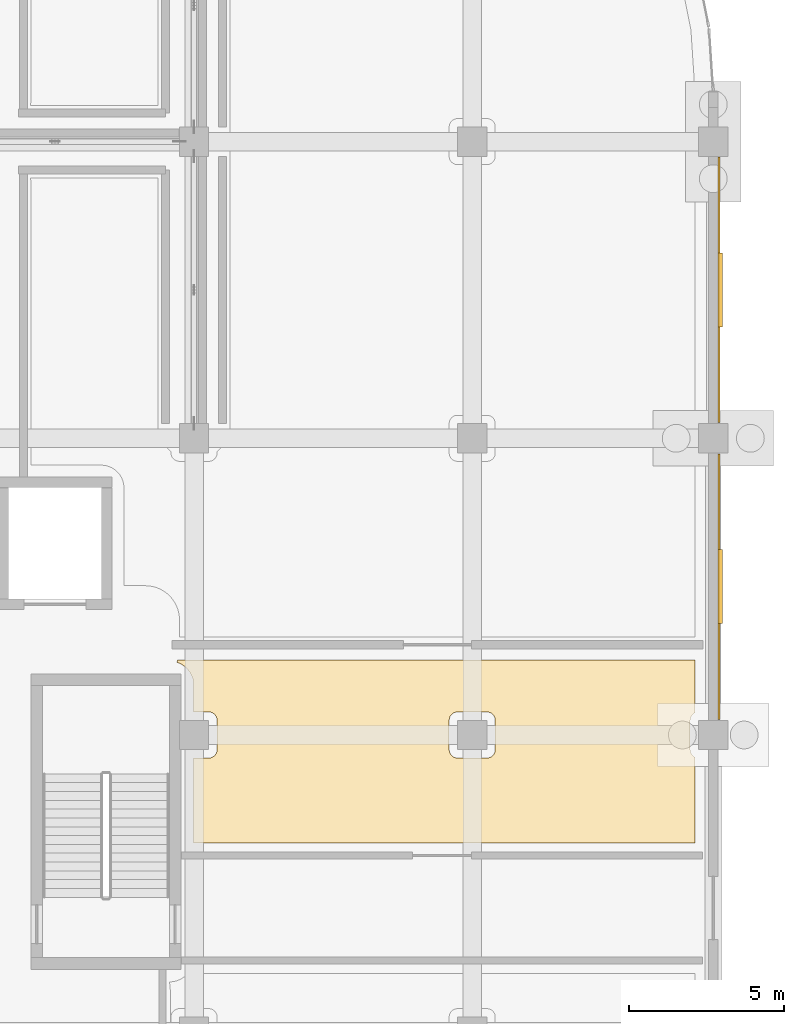
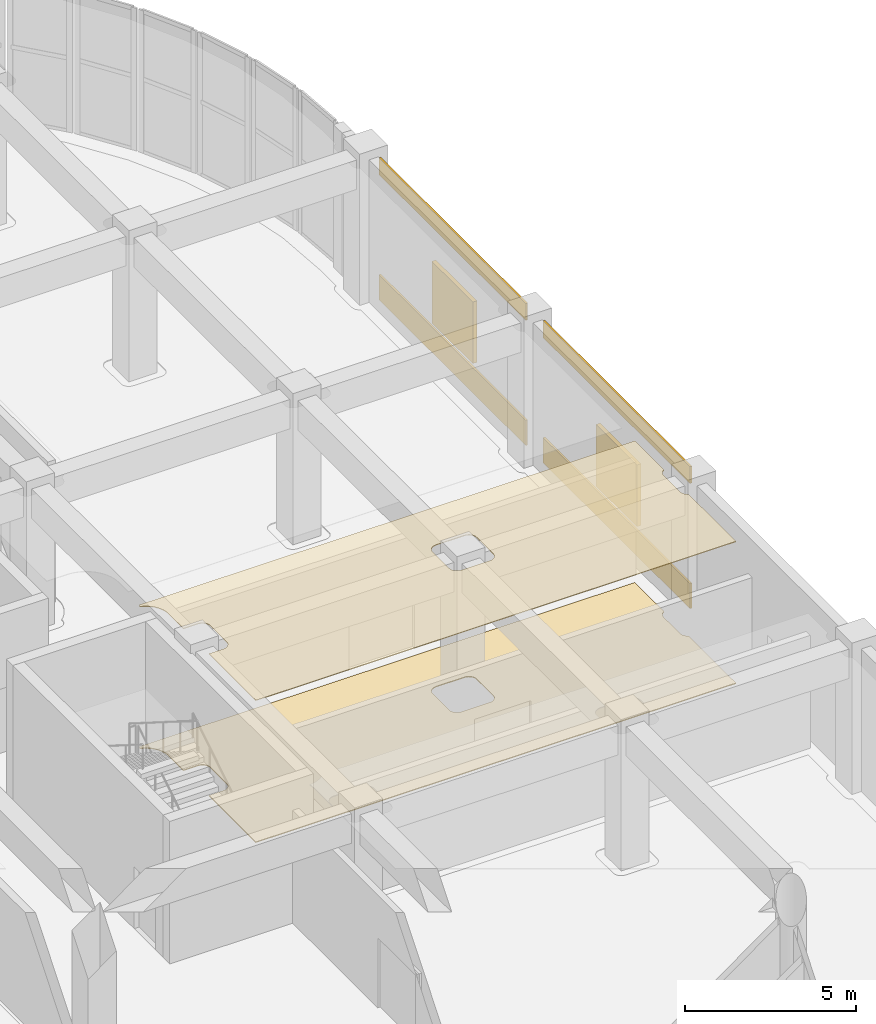
# One storey, part 72 of 74: 6 coverings, 2 shading devices.
"""IFC4 building model written with IfcOpenShell, lengths in metres."""

from ifc_helpers import new_model, si_unit, direction, frame, origin, origin_2d, place, context, subcontext, project, spatial, polyline, rectangle, outline, extrude, material, layer, layer_set, type_object, element, save


model = new_model("IFC4")

# Units and contexts
model_context = context("Model", 3, precision=1e-05, world=origin(), true_north=direction((0.0, 1.0)))
body_context = subcontext(model_context, "Body", "Model", "MODEL_VIEW")
ifc_project = project(units=[si_unit("LENGTHUNIT", "METRE"), si_unit("AREAUNIT", "SQUARE_METRE"), si_unit("VOLUMEUNIT", "CUBIC_METRE"), si_unit("PLANEANGLEUNIT", "RADIAN"), si_unit("MASSUNIT", "GRAM", prefix="KILO")], contexts=[model_context])

# Site, building, storey
site_placement = place(None, origin())
site = spatial("IfcSite", under=ifc_project, at=site_placement, CompositionType="ELEMENT")
building_placement = place(site_placement, origin())
building = spatial("IfcBuilding", under=site, at=building_placement, Name="Cendralis Terraced Arcade", CompositionType="ELEMENT")
storey_placement = place(building_placement, origin())
storey = spatial("IfcBuildingStorey", under=building, at=storey_placement, Name="L00", CompositionType="ELEMENT", Elevation=0.0)

# Coverings
ifc_material_1 = material(Name="Gypsum plasterboard acoustic partition")
ifc_layer_1 = layer(ifc_material_1, 0.02490234375, Name="COV-CEIL-ACOU-25")
ifc_layer_set_1 = layer_set([ifc_layer_1], Name="Gypsum plasterboard acoustic partition")
covering_type_1 = type_object("IfcCoveringType", Name="COV-CEIL-ACOU-25", PredefinedType="CEILING", material=ifc_layer_set_1)
covering_1_placement = place(storey_placement, frame((0.0, 0.0, 5.06494140625)))
element("IfcCovering", 1, at=covering_1_placement, inside=storey, type_object=covering_type_1, Name="Acoustic Soffit Ceiling L00-046", PredefinedType="CEILING", context=body_context, shape_type="SweptSolid", body=[
    extrude(outline(polyline([(156.647705078125, 81.560791015625), (156.64990234375, 81.56640625), (156.652099609375, 81.572021484375), (156.654296875, 81.57763671875), (156.6728515625, 81.6298828125), (173.409912109375, 81.6298828125), (173.409912109375, 79.919189453125), (173.40869140625, 79.918701171875), (173.386962890625, 79.906982421875), (173.385498046875, 79.906005859375), (173.364990234375, 79.892333984375), (173.36328125, 79.891357421875), (173.344482421875, 79.875732421875), (173.343017578125, 79.87451171875), (173.32568359375, 79.85693359375), (173.32421875, 79.855712890625), (173.30859375, 79.836669921875), (173.3076171875, 79.8349609375), (173.2939453125, 79.814697265625), (173.29296875, 79.81298828125), (173.281494140625, 79.791259765625), (173.280517578125, 79.78955078125), (173.27099609375, 79.766845703125), (173.2705078125, 79.764892578125), (173.263427734375, 79.74169921875), (173.262939453125, 79.739501953125), (173.258056640625, 79.715576171875), (173.2578125, 79.713623046875), (173.25537109375, 79.689208984375), (173.25537109375, 79.687255859375), (173.2548828125, 79.675048828125), (173.2548828125, 78.72509765625), (173.25537109375, 78.712646484375), (173.25537109375, 78.710693359375), (173.2578125, 78.686279296875), (173.258056640625, 78.684326171875), (173.262939453125, 78.660400390625), (173.263427734375, 78.658447265625), (173.2705078125, 78.635009765625), (173.27099609375, 78.633056640625), (173.280517578125, 78.610595703125), (173.281494140625, 78.608642578125), (173.29296875, 78.5869140625), (173.2939453125, 78.58544921875), (173.3076171875, 78.56494140625), (173.30859375, 78.5634765625), (173.32421875, 78.54443359375), (173.32568359375, 78.54296875), (173.343017578125, 78.525634765625), (173.344482421875, 78.5244140625), (173.36328125, 78.5087890625), (173.364990234375, 78.507568359375), (173.385498046875, 78.493896484375), (173.386962890625, 78.492919921875), (173.40869140625, 78.4814453125), (173.409912109375, 78.480712890625), (173.409912109375, 75.7099609375), (157.18994140625, 75.7099609375), (157.18994140625, 78.455078125), (157.675048828125, 78.455078125), (157.687255859375, 78.455322265625), (157.689208984375, 78.455322265625), (157.713623046875, 78.457763671875), (157.715576171875, 78.4580078125), (157.739501953125, 78.462890625), (157.74169921875, 78.46337890625), (157.764892578125, 78.470458984375), (157.766845703125, 78.47119140625), (157.78955078125, 78.48046875), (157.791259765625, 78.4814453125), (157.81298828125, 78.492919921875), (157.814697265625, 78.493896484375), (157.8349609375, 78.507568359375), (157.836669921875, 78.5087890625), (157.855712890625, 78.5244140625), (157.85693359375, 78.525634765625), (157.87451171875, 78.54296875), (157.875732421875, 78.54443359375), (157.891357421875, 78.5634765625), (157.892333984375, 78.56494140625), (157.906005859375, 78.58544921875), (157.906982421875, 78.5869140625), (157.918701171875, 78.608642578125), (157.91943359375, 78.610595703125), (157.928955078125, 78.633056640625), (157.929443359375, 78.635009765625), (157.9365234375, 78.658447265625), (157.93701171875, 78.660400390625), (157.94189453125, 78.684326171875), (157.942138671875, 78.686279296875), (157.944580078125, 78.710693359375), (157.944580078125, 78.712646484375), (157.945068359375, 78.72509765625), (157.945068359375, 79.675048828125), (157.944580078125, 79.687255859375), (157.944580078125, 79.689208984375), (157.942138671875, 79.713623046875), (157.94189453125, 79.715576171875), (157.93701171875, 79.739501953125), (157.9365234375, 79.74169921875), (157.929443359375, 79.764892578125), (157.928955078125, 79.766845703125), (157.91943359375, 79.78955078125), (157.918701171875, 79.791259765625), (157.906982421875, 79.81298828125), (157.906005859375, 79.814697265625), (157.892333984375, 79.8349609375), (157.891357421875, 79.836669921875), (157.875732421875, 79.855712890625), (157.87451171875, 79.85693359375), (157.85693359375, 79.87451171875), (157.855712890625, 79.875732421875), (157.836669921875, 79.891357421875), (157.8349609375, 79.892333984375), (157.814697265625, 79.906005859375), (157.81298828125, 79.906982421875), (157.791259765625, 79.918701171875), (157.78955078125, 79.91943359375), (157.766845703125, 79.928955078125), (157.764892578125, 79.929443359375), (157.74169921875, 79.9365234375), (157.739501953125, 79.93701171875), (157.715576171875, 79.94189453125), (157.713623046875, 79.942138671875), (157.689208984375, 79.944580078125), (157.687255859375, 79.944580078125), (157.675048828125, 79.945068359375), (157.18994140625, 79.945068359375), (157.18994140625, 80.800048828125), (157.18994140625, 80.80615234375), (157.189697265625, 80.81201171875), (157.189697265625, 80.818115234375), (157.1875, 80.859375), (157.1865234375, 80.87158203125), (157.185546875, 80.88330078125), (157.18408203125, 80.8955078125), (157.177978515625, 80.936279296875), (157.17578125, 80.9482421875), (157.173583984375, 80.9599609375), (157.1708984375, 80.9716796875), (157.160888671875, 81.01171875), (157.15771484375, 81.023681640625), (157.154052734375, 81.034912109375), (157.150390625, 81.046630859375), (157.136474609375, 81.08544921875), (157.132080078125, 81.0966796875), (157.12744140625, 81.107666015625), (157.12255859375, 81.118896484375), (157.10498046875, 81.15625), (157.099365234375, 81.1669921875), (157.09375, 81.177490234375), (157.087890625, 81.188232421875), (157.066650390625, 81.2236328125), (157.06005859375, 81.23388671875), (157.053466796875, 81.24365234375), (157.04638671875, 81.253662109375), (157.02197265625, 81.286865234375), (157.014404296875, 81.29638671875), (157.0068359375, 81.3056640625), (156.998779296875, 81.31494140625), (156.97119140625, 81.345458984375), (156.962646484375, 81.354248046875), (156.954345703125, 81.36279296875), (156.945556640625, 81.37109375), (156.914794921875, 81.398681640625), (156.905517578125, 81.40673828125), (156.896484375, 81.414306640625), (156.886962890625, 81.421875), (156.853759765625, 81.4462890625), (156.84375, 81.45361328125), (156.833984375, 81.4599609375), (156.823486328125, 81.466552734375), (156.7880859375, 81.48779296875), (156.777587890625, 81.493896484375), (156.76708984375, 81.49951171875), (156.756103515625, 81.5048828125), (156.718994140625, 81.5224609375), (156.707763671875, 81.527587890625), (156.69677734375, 81.531982421875), (156.685302734375, 81.536376953125), (156.646484375, 81.55029296875), (156.643798828125, 81.55126953125), (156.647705078125, 81.560791015625)]), holes=[polyline([(165.608642578125, 78.4814453125), (165.610595703125, 78.48046875), (165.633056640625, 78.47119140625), (165.635009765625, 78.470458984375), (165.658447265625, 78.46337890625), (165.660400390625, 78.462890625), (165.684326171875, 78.4580078125), (165.686279296875, 78.457763671875), (165.710693359375, 78.455322265625), (165.712646484375, 78.455322265625), (165.72509765625, 78.455078125), (166.675048828125, 78.455078125), (166.687255859375, 78.455322265625), (166.689208984375, 78.455322265625), (166.713623046875, 78.457763671875), (166.715576171875, 78.4580078125), (166.739501953125, 78.462890625), (166.74169921875, 78.46337890625), (166.764892578125, 78.470458984375), (166.766845703125, 78.47119140625), (166.78955078125, 78.48046875), (166.791259765625, 78.4814453125), (166.81298828125, 78.492919921875), (166.814697265625, 78.493896484375), (166.8349609375, 78.507568359375), (166.836669921875, 78.5087890625), (166.855712890625, 78.5244140625), (166.85693359375, 78.525634765625), (166.87451171875, 78.54296875), (166.875732421875, 78.54443359375), (166.891357421875, 78.5634765625), (166.892333984375, 78.56494140625), (166.906005859375, 78.58544921875), (166.906982421875, 78.5869140625), (166.918701171875, 78.608642578125), (166.91943359375, 78.610595703125), (166.928955078125, 78.633056640625), (166.929443359375, 78.635009765625), (166.9365234375, 78.658447265625), (166.93701171875, 78.660400390625), (166.94189453125, 78.684326171875), (166.942138671875, 78.686279296875), (166.944580078125, 78.710693359375), (166.944580078125, 78.712646484375), (166.945068359375, 78.72509765625), (166.945068359375, 79.675048828125), (166.944580078125, 79.687255859375), (166.944580078125, 79.689208984375), (166.942138671875, 79.713623046875), (166.94189453125, 79.715576171875), (166.93701171875, 79.739501953125), (166.9365234375, 79.74169921875), (166.929443359375, 79.764892578125), (166.928955078125, 79.766845703125), (166.91943359375, 79.78955078125), (166.918701171875, 79.791259765625), (166.906982421875, 79.81298828125), (166.906005859375, 79.814697265625), (166.892333984375, 79.8349609375), (166.891357421875, 79.836669921875), (166.875732421875, 79.855712890625), (166.87451171875, 79.85693359375), (166.85693359375, 79.87451171875), (166.855712890625, 79.875732421875), (166.836669921875, 79.891357421875), (166.8349609375, 79.892333984375), (166.814697265625, 79.906005859375), (166.81298828125, 79.906982421875), (166.791259765625, 79.918701171875), (166.78955078125, 79.91943359375), (166.766845703125, 79.928955078125), (166.764892578125, 79.929443359375), (166.74169921875, 79.9365234375), (166.739501953125, 79.93701171875), (166.715576171875, 79.94189453125), (166.713623046875, 79.942138671875), (166.689208984375, 79.944580078125), (166.687255859375, 79.944580078125), (166.675048828125, 79.945068359375), (165.72509765625, 79.945068359375), (165.712646484375, 79.944580078125), (165.710693359375, 79.944580078125), (165.686279296875, 79.942138671875), (165.684326171875, 79.94189453125), (165.660400390625, 79.93701171875), (165.658447265625, 79.9365234375), (165.635009765625, 79.929443359375), (165.633056640625, 79.928955078125), (165.610595703125, 79.91943359375), (165.608642578125, 79.918701171875), (165.5869140625, 79.906982421875), (165.58544921875, 79.906005859375), (165.56494140625, 79.892333984375), (165.5634765625, 79.891357421875), (165.54443359375, 79.875732421875), (165.54296875, 79.87451171875), (165.525634765625, 79.85693359375), (165.5244140625, 79.855712890625), (165.5087890625, 79.836669921875), (165.507568359375, 79.8349609375), (165.493896484375, 79.814697265625), (165.492919921875, 79.81298828125), (165.4814453125, 79.791259765625), (165.48046875, 79.78955078125), (165.47119140625, 79.766845703125), (165.470458984375, 79.764892578125), (165.46337890625, 79.74169921875), (165.462890625, 79.739501953125), (165.4580078125, 79.715576171875), (165.457763671875, 79.713623046875), (165.455322265625, 79.689208984375), (165.455322265625, 79.687255859375), (165.455078125, 79.675048828125), (165.455078125, 78.72509765625), (165.455322265625, 78.712646484375), (165.455322265625, 78.710693359375), (165.457763671875, 78.686279296875), (165.4580078125, 78.684326171875), (165.462890625, 78.660400390625), (165.46337890625, 78.658447265625), (165.470458984375, 78.635009765625), (165.47119140625, 78.633056640625), (165.48046875, 78.610595703125), (165.4814453125, 78.608642578125), (165.492919921875, 78.5869140625), (165.493896484375, 78.58544921875), (165.507568359375, 78.56494140625), (165.5087890625, 78.5634765625), (165.5244140625, 78.54443359375), (165.525634765625, 78.54296875), (165.54296875, 78.525634765625), (165.54443359375, 78.5244140625), (165.5634765625, 78.5087890625), (165.56494140625, 78.507568359375), (165.58544921875, 78.493896484375), (165.5869140625, 78.492919921875), (165.608642578125, 78.4814453125)])]), origin(), (0.0, 0.0, 1.0), 0.025146484375),
])
ifc_material_2 = material(Name="Precast concrete f'c 40 MPa", Category="concrete")
ifc_layer_2 = layer(ifc_material_2, 0.06494140625, Name="COV-CLAD-GRC-65")
ifc_layer_set_2 = layer_set([ifc_layer_2], Name="Precast concrete f'c 40 MPa")
covering_type_2 = type_object("IfcCoveringType", Name="COV-CLAD-GRC-65", PredefinedType="CLADDING", material=ifc_layer_set_2)
covering_2_placement = place(storey_placement, frame((174.18994140625, 93.60009765625, 0.0), z_axis=(0.0, 0.0, 1.0), x_axis=(0.0, -1.0, 0.0)))
element("IfcCovering", 2, at=covering_2_placement, inside=storey, type_object=covering_type_2, Name="Banded Precast Stone Spandrel Cladding L00-059", PredefinedType="CLADDING", context=body_context, shape_type="SweptSolid", body=[
    extrude(rectangle(XDim=8.593994140625, YDim=0.06494140625, at=origin_2d()), origin(), (0.0, 0.0, 1.0), 0.89990234375),
])
covering_3_placement = place(storey_placement, frame((174.18994140625, 93.60009765625, 4.469970703125), z_axis=(0.0, 0.0, 1.0), x_axis=(0.0, -1.0, 0.0)))
element("IfcCovering", 3, at=covering_3_placement, inside=storey, type_object=covering_type_2, Name="Banded Precast Stone Lintel Cladding L00-060", PredefinedType="CLADDING", context=body_context, shape_type="SweptSolid", body=[
    extrude(rectangle(XDim=8.593994140625, YDim=0.06494140625, at=origin_2d()), origin(), (0.0, 0.0, 1.0), 0.60009765625),
])
covering_4_placement = place(storey_placement, frame((174.18994140625, 84.0, 0.0), z_axis=(0.0, 0.0, 1.0), x_axis=(0.0, -1.0, 0.0)))
element("IfcCovering", 4, at=covering_4_placement, inside=storey, type_object=covering_type_2, Name="Banded Precast Stone Spandrel Cladding L00-061", PredefinedType="CLADDING", context=body_context, shape_type="SweptSolid", body=[
    extrude(rectangle(XDim=8.593994140625, YDim=0.06494140625, at=origin_2d()), origin(), (0.0, 0.0, 1.0), 0.89990234375),
])
covering_5_placement = place(storey_placement, frame((174.18994140625, 84.0, 4.469970703125), z_axis=(0.0, 0.0, 1.0), x_axis=(0.0, -1.0, 0.0)))
element("IfcCovering", 5, at=covering_5_placement, inside=storey, type_object=covering_type_2, Name="Banded Precast Stone Lintel Cladding L00-062", PredefinedType="CLADDING", context=body_context, shape_type="SweptSolid", body=[
    extrude(rectangle(XDim=8.593994140625, YDim=0.06494140625, at=origin_2d()), origin(), (0.0, 0.0, 1.0), 0.60009765625),
])
ifc_material_3 = material(Name="Polished Bogota limestone terrazzo flooring", Category="masonry")
ifc_layer_3 = layer(ifc_material_3, 0.030029296875, Name="COV-FLR-TERZ-30")
ifc_layer_set_3 = layer_set([ifc_layer_3], Name="Polished Bogota limestone terrazzo flooring")
covering_type_3 = type_object("IfcCoveringType", Name="COV-FLR-TERZ-30", PredefinedType="FLOORING", material=ifc_layer_set_3)
covering_6_placement = place(storey_placement, origin())
element("IfcCovering", 6, at=covering_6_placement, inside=storey, type_object=covering_type_3, Name="Interior Finish Flooring L00-046", PredefinedType="FLOORING", context=body_context, shape_type="SweptSolid", body=[
    extrude(outline(polyline([(156.647705078125, 81.560791015625), (156.64990234375, 81.56640625), (156.652099609375, 81.572021484375), (156.654296875, 81.57763671875), (156.6728515625, 81.6298828125), (173.409912109375, 81.6298828125), (173.409912109375, 79.919189453125), (173.40869140625, 79.918701171875), (173.386962890625, 79.906982421875), (173.385498046875, 79.906005859375), (173.364990234375, 79.892333984375), (173.36328125, 79.891357421875), (173.344482421875, 79.875732421875), (173.343017578125, 79.87451171875), (173.32568359375, 79.85693359375), (173.32421875, 79.855712890625), (173.30859375, 79.836669921875), (173.3076171875, 79.8349609375), (173.2939453125, 79.814697265625), (173.29296875, 79.81298828125), (173.281494140625, 79.791259765625), (173.280517578125, 79.78955078125), (173.27099609375, 79.766845703125), (173.2705078125, 79.764892578125), (173.263427734375, 79.74169921875), (173.262939453125, 79.739501953125), (173.258056640625, 79.715576171875), (173.2578125, 79.713623046875), (173.25537109375, 79.689208984375), (173.25537109375, 79.687255859375), (173.2548828125, 79.675048828125), (173.2548828125, 78.72509765625), (173.25537109375, 78.712646484375), (173.25537109375, 78.710693359375), (173.2578125, 78.686279296875), (173.258056640625, 78.684326171875), (173.262939453125, 78.660400390625), (173.263427734375, 78.658447265625), (173.2705078125, 78.635009765625), (173.27099609375, 78.633056640625), (173.280517578125, 78.610595703125), (173.281494140625, 78.608642578125), (173.29296875, 78.5869140625), (173.2939453125, 78.58544921875), (173.3076171875, 78.56494140625), (173.30859375, 78.5634765625), (173.32421875, 78.54443359375), (173.32568359375, 78.54296875), (173.343017578125, 78.525634765625), (173.344482421875, 78.5244140625), (173.36328125, 78.5087890625), (173.364990234375, 78.507568359375), (173.385498046875, 78.493896484375), (173.386962890625, 78.492919921875), (173.40869140625, 78.4814453125), (173.409912109375, 78.480712890625), (173.409912109375, 75.7099609375), (157.18994140625, 75.7099609375), (157.18994140625, 78.455078125), (157.675048828125, 78.455078125), (157.687255859375, 78.455322265625), (157.689208984375, 78.455322265625), (157.713623046875, 78.457763671875), (157.715576171875, 78.4580078125), (157.739501953125, 78.462890625), (157.74169921875, 78.46337890625), (157.764892578125, 78.470458984375), (157.766845703125, 78.47119140625), (157.78955078125, 78.48046875), (157.791259765625, 78.4814453125), (157.81298828125, 78.492919921875), (157.814697265625, 78.493896484375), (157.8349609375, 78.507568359375), (157.836669921875, 78.5087890625), (157.855712890625, 78.5244140625), (157.85693359375, 78.525634765625), (157.87451171875, 78.54296875), (157.875732421875, 78.54443359375), (157.891357421875, 78.5634765625), (157.892333984375, 78.56494140625), (157.906005859375, 78.58544921875), (157.906982421875, 78.5869140625), (157.918701171875, 78.608642578125), (157.91943359375, 78.610595703125), (157.928955078125, 78.633056640625), (157.929443359375, 78.635009765625), (157.9365234375, 78.658447265625), (157.93701171875, 78.660400390625), (157.94189453125, 78.684326171875), (157.942138671875, 78.686279296875), (157.944580078125, 78.710693359375), (157.944580078125, 78.712646484375), (157.945068359375, 78.72509765625), (157.945068359375, 79.675048828125), (157.944580078125, 79.687255859375), (157.944580078125, 79.689208984375), (157.942138671875, 79.713623046875), (157.94189453125, 79.715576171875), (157.93701171875, 79.739501953125), (157.9365234375, 79.74169921875), (157.929443359375, 79.764892578125), (157.928955078125, 79.766845703125), (157.91943359375, 79.78955078125), (157.918701171875, 79.791259765625), (157.906982421875, 79.81298828125), (157.906005859375, 79.814697265625), (157.892333984375, 79.8349609375), (157.891357421875, 79.836669921875), (157.875732421875, 79.855712890625), (157.87451171875, 79.85693359375), (157.85693359375, 79.87451171875), (157.855712890625, 79.875732421875), (157.836669921875, 79.891357421875), (157.8349609375, 79.892333984375), (157.814697265625, 79.906005859375), (157.81298828125, 79.906982421875), (157.791259765625, 79.918701171875), (157.78955078125, 79.91943359375), (157.766845703125, 79.928955078125), (157.764892578125, 79.929443359375), (157.74169921875, 79.9365234375), (157.739501953125, 79.93701171875), (157.715576171875, 79.94189453125), (157.713623046875, 79.942138671875), (157.689208984375, 79.944580078125), (157.687255859375, 79.944580078125), (157.675048828125, 79.945068359375), (157.18994140625, 79.945068359375), (157.18994140625, 80.800048828125), (157.18994140625, 80.80615234375), (157.189697265625, 80.81201171875), (157.189697265625, 80.818115234375), (157.1875, 80.859375), (157.1865234375, 80.87158203125), (157.185546875, 80.88330078125), (157.18408203125, 80.8955078125), (157.177978515625, 80.936279296875), (157.17578125, 80.9482421875), (157.173583984375, 80.9599609375), (157.1708984375, 80.9716796875), (157.160888671875, 81.01171875), (157.15771484375, 81.023681640625), (157.154052734375, 81.034912109375), (157.150390625, 81.046630859375), (157.136474609375, 81.08544921875), (157.132080078125, 81.0966796875), (157.12744140625, 81.107666015625), (157.12255859375, 81.118896484375), (157.10498046875, 81.15625), (157.099365234375, 81.1669921875), (157.09375, 81.177490234375), (157.087890625, 81.188232421875), (157.066650390625, 81.2236328125), (157.06005859375, 81.23388671875), (157.053466796875, 81.24365234375), (157.04638671875, 81.253662109375), (157.02197265625, 81.286865234375), (157.014404296875, 81.29638671875), (157.0068359375, 81.3056640625), (156.998779296875, 81.31494140625), (156.97119140625, 81.345458984375), (156.962646484375, 81.354248046875), (156.954345703125, 81.36279296875), (156.945556640625, 81.37109375), (156.914794921875, 81.398681640625), (156.905517578125, 81.40673828125), (156.896484375, 81.414306640625), (156.886962890625, 81.421875), (156.853759765625, 81.4462890625), (156.84375, 81.45361328125), (156.833984375, 81.4599609375), (156.823486328125, 81.466552734375), (156.7880859375, 81.48779296875), (156.777587890625, 81.493896484375), (156.76708984375, 81.49951171875), (156.756103515625, 81.5048828125), (156.718994140625, 81.5224609375), (156.707763671875, 81.527587890625), (156.69677734375, 81.531982421875), (156.685302734375, 81.536376953125), (156.646484375, 81.55029296875), (156.643798828125, 81.55126953125), (156.647705078125, 81.560791015625)]), holes=[polyline([(165.608642578125, 78.4814453125), (165.610595703125, 78.48046875), (165.633056640625, 78.47119140625), (165.635009765625, 78.470458984375), (165.658447265625, 78.46337890625), (165.660400390625, 78.462890625), (165.684326171875, 78.4580078125), (165.686279296875, 78.457763671875), (165.710693359375, 78.455322265625), (165.712646484375, 78.455322265625), (165.72509765625, 78.455078125), (166.675048828125, 78.455078125), (166.687255859375, 78.455322265625), (166.689208984375, 78.455322265625), (166.713623046875, 78.457763671875), (166.715576171875, 78.4580078125), (166.739501953125, 78.462890625), (166.74169921875, 78.46337890625), (166.764892578125, 78.470458984375), (166.766845703125, 78.47119140625), (166.78955078125, 78.48046875), (166.791259765625, 78.4814453125), (166.81298828125, 78.492919921875), (166.814697265625, 78.493896484375), (166.8349609375, 78.507568359375), (166.836669921875, 78.5087890625), (166.855712890625, 78.5244140625), (166.85693359375, 78.525634765625), (166.87451171875, 78.54296875), (166.875732421875, 78.54443359375), (166.891357421875, 78.5634765625), (166.892333984375, 78.56494140625), (166.906005859375, 78.58544921875), (166.906982421875, 78.5869140625), (166.918701171875, 78.608642578125), (166.91943359375, 78.610595703125), (166.928955078125, 78.633056640625), (166.929443359375, 78.635009765625), (166.9365234375, 78.658447265625), (166.93701171875, 78.660400390625), (166.94189453125, 78.684326171875), (166.942138671875, 78.686279296875), (166.944580078125, 78.710693359375), (166.944580078125, 78.712646484375), (166.945068359375, 78.72509765625), (166.945068359375, 79.675048828125), (166.944580078125, 79.687255859375), (166.944580078125, 79.689208984375), (166.942138671875, 79.713623046875), (166.94189453125, 79.715576171875), (166.93701171875, 79.739501953125), (166.9365234375, 79.74169921875), (166.929443359375, 79.764892578125), (166.928955078125, 79.766845703125), (166.91943359375, 79.78955078125), (166.918701171875, 79.791259765625), (166.906982421875, 79.81298828125), (166.906005859375, 79.814697265625), (166.892333984375, 79.8349609375), (166.891357421875, 79.836669921875), (166.875732421875, 79.855712890625), (166.87451171875, 79.85693359375), (166.85693359375, 79.87451171875), (166.855712890625, 79.875732421875), (166.836669921875, 79.891357421875), (166.8349609375, 79.892333984375), (166.814697265625, 79.906005859375), (166.81298828125, 79.906982421875), (166.791259765625, 79.918701171875), (166.78955078125, 79.91943359375), (166.766845703125, 79.928955078125), (166.764892578125, 79.929443359375), (166.74169921875, 79.9365234375), (166.739501953125, 79.93701171875), (166.715576171875, 79.94189453125), (166.713623046875, 79.942138671875), (166.689208984375, 79.944580078125), (166.687255859375, 79.944580078125), (166.675048828125, 79.945068359375), (165.72509765625, 79.945068359375), (165.712646484375, 79.944580078125), (165.710693359375, 79.944580078125), (165.686279296875, 79.942138671875), (165.684326171875, 79.94189453125), (165.660400390625, 79.93701171875), (165.658447265625, 79.9365234375), (165.635009765625, 79.929443359375), (165.633056640625, 79.928955078125), (165.610595703125, 79.91943359375), (165.608642578125, 79.918701171875), (165.5869140625, 79.906982421875), (165.58544921875, 79.906005859375), (165.56494140625, 79.892333984375), (165.5634765625, 79.891357421875), (165.54443359375, 79.875732421875), (165.54296875, 79.87451171875), (165.525634765625, 79.85693359375), (165.5244140625, 79.855712890625), (165.5087890625, 79.836669921875), (165.507568359375, 79.8349609375), (165.493896484375, 79.814697265625), (165.492919921875, 79.81298828125), (165.4814453125, 79.791259765625), (165.48046875, 79.78955078125), (165.47119140625, 79.766845703125), (165.470458984375, 79.764892578125), (165.46337890625, 79.74169921875), (165.462890625, 79.739501953125), (165.4580078125, 79.715576171875), (165.457763671875, 79.713623046875), (165.455322265625, 79.689208984375), (165.455322265625, 79.687255859375), (165.455078125, 79.675048828125), (165.455078125, 78.72509765625), (165.455322265625, 78.712646484375), (165.455322265625, 78.710693359375), (165.457763671875, 78.686279296875), (165.4580078125, 78.684326171875), (165.462890625, 78.660400390625), (165.46337890625, 78.658447265625), (165.470458984375, 78.635009765625), (165.47119140625, 78.633056640625), (165.48046875, 78.610595703125), (165.4814453125, 78.608642578125), (165.492919921875, 78.5869140625), (165.493896484375, 78.58544921875), (165.507568359375, 78.56494140625), (165.5087890625, 78.5634765625), (165.5244140625, 78.54443359375), (165.525634765625, 78.54296875), (165.54296875, 78.525634765625), (165.54443359375, 78.5244140625), (165.5634765625, 78.5087890625), (165.56494140625, 78.507568359375), (165.58544921875, 78.493896484375), (165.5869140625, 78.492919921875), (165.608642578125, 78.4814453125)])]), origin(), (0.0, 0.0, 1.0), 0.030029296875),
])

# Shading devices
ifc_material_4 = material(Name="Anodised aluminium EN AW-6063 T6", Category="aluminium")
shading_device_type = type_object("IfcShadingDeviceType", Name="SHD-LOUVRE-JAL", PredefinedType="JALOUSIE", material=ifc_material_4)
for number, where, z_axis, x_axis, name in (
    (7, (174.22509765625, 93.60009765625, 1.0498046875), (0.0, 0.0, 1.0), (0.0, -1.0, 0.0), "Acoustic Plant Intake Jalousie Louvre JAL-L00-06"),
    (8, (174.22509765625, 84.0, 1.0498046875), (0.0, 0.0, 1.0), (0.0, -1.0, 0.0), "Acoustic Plant Intake Jalousie Louvre JAL-L00-07"),
):
    element("IfcShadingDevice", number, at=place(storey_placement, frame(where, z_axis=z_axis, x_axis=x_axis)), inside=storey, type_object=shading_device_type, Name=name, PredefinedType="JALOUSIE", context=body_context, shape_type="SweptSolid", body=[
        extrude(rectangle(XDim=2.39990234375, YDim=0.139892578125, at=origin_2d()), origin(), (0.0, 0.0, 1.0), 2.199951171875),
    ])

save(model, "model.ifc")
